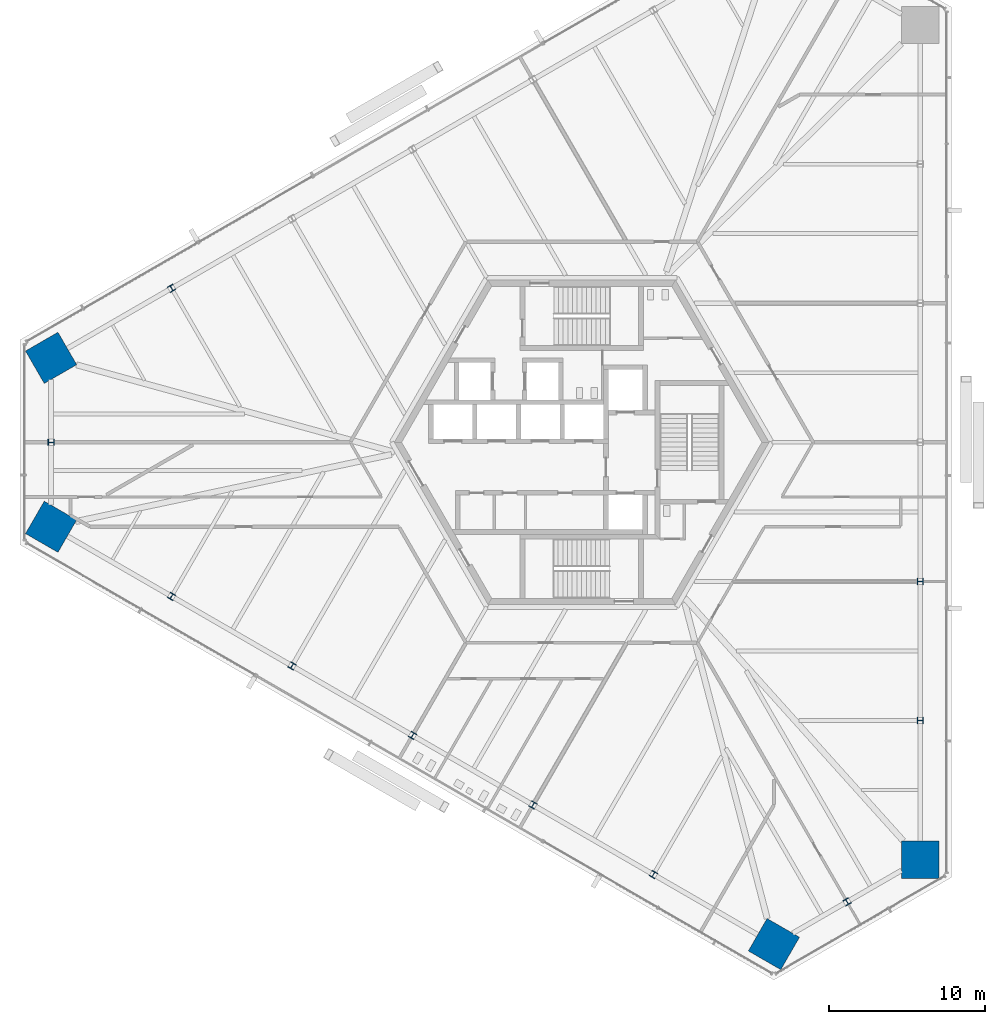
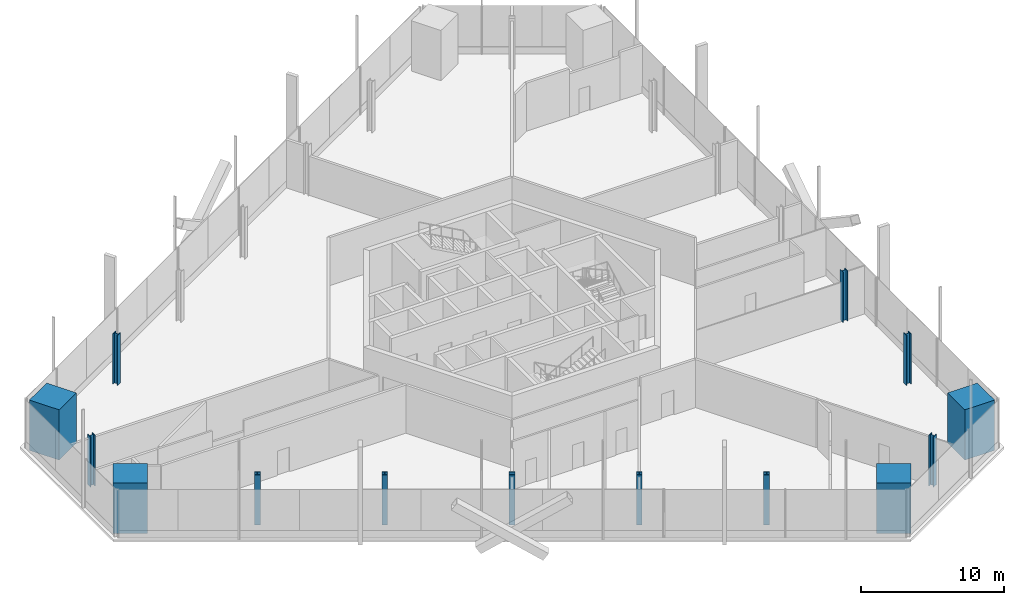
# One storey, part 1 of 18: 14 columns.
"""IFC4 building model written with IfcOpenShell, lengths in metres."""

from ifc_helpers import new_model, si_unit, direction, frame, origin, origin_2d, place, context, subcontext, project, spatial, rectangle, i_section, extrude, source, transform, mapped, material, material_profile, profile_set, type_object, element, save


model = new_model("IFC4")

# Units and contexts
model_context = context("Model", 3, precision=1e-05, world=origin(), true_north=direction((0.0, 1.0)))
body_context = subcontext(model_context, "Body", "Model", "MODEL_VIEW")
ifc_project = project(units=[si_unit("LENGTHUNIT", "METRE"), si_unit("AREAUNIT", "SQUARE_METRE"), si_unit("VOLUMEUNIT", "CUBIC_METRE"), si_unit("PLANEANGLEUNIT", "RADIAN"), si_unit("MASSUNIT", "GRAM", prefix="KILO")], contexts=[model_context])

# Site, building, storey
site_placement = place(None, origin())
site = spatial("IfcSite", under=ifc_project, at=site_placement, CompositionType="ELEMENT")
building_placement = place(site_placement, origin())
building = spatial("IfcBuilding", under=site, at=building_placement, Name="Triune Harvest Tower", CompositionType="ELEMENT")
storey_placement = place(building_placement, frame((0.0, 0.0, 33.199951171875)))
storey = spatial("IfcBuildingStorey", under=building, at=storey_placement, Name="L07", CompositionType="ELEMENT", Elevation=33.199951171875)

# Columns
ifc_material_1 = material(Name="Concrete 70 MPa", Category="concrete")
ifc_material_profile_1 = material_profile(ifc_material_1, rectangle(XDim=2.39990234375, YDim=2.39990234375, at=origin_2d()), Name="Composite 2400x2400")
ifc_profile_set_1 = profile_set([ifc_material_profile_1], Name="Concrete 70 MPa")
column_type_1 = type_object("IfcColumnType", Name="MC-1 Mega column Composite 2400x2400", PredefinedType="COLUMN", material=ifc_profile_set_1)
shared_shape_1 = source(origin(), body_context, "Body", "SweptSolid", [
    extrude(rectangle(XDim=2.39990234375, YDim=2.39990234375, at=origin_2d()), origin(), (0.0, 0.0, 1.0), 4.300048828125),
])
for number, where, z_axis, x_axis, name in (
    (1, (21.679443359375, -26.72998046875, 0.0), (0.0, 0.0, 1.0), (0.0, 1.0, 0.0), "col/L07/M0"),
    (2, (-33.988525390625, 5.409912109375, 0.0), (0.0, 0.0, 1.0), (-0.866025403784, -0.5, 0.0), "col/L07/M14"),
    (3, (-33.988525390625, -5.409912109375, 0.0), (0.0, 0.0, 1.0), (0.866025403784, -0.5, 0.0), "col/L07/M16"),
    (4, (12.30908203125, -32.139892578125, 0.0), (0.0, 0.0, 1.0), (0.866025403784, -0.5, 0.0), "col/L07/M22"),
):
    element("IfcColumn", number, at=place(storey_placement, frame(where, z_axis=z_axis, x_axis=x_axis)), inside=storey, type_object=column_type_1, Name=name, PredefinedType="COLUMN", context=body_context, shape_type="MappedRepresentation", body=[
        mapped(shared_shape_1, transform((0.0, 0.0, 0.0), scale=1.0)),
    ])
ifc_material_2 = material(Name="Steel ASTM A992 Gr 50", Category="steel")
ifc_material_profile_2 = material_profile(ifc_material_2, i_section(OverallWidth=0.40380859375, OverallDepth=0.406494140625, WebThickness=0.027099609375, FlangeThickness=0.043701171875, at=origin_2d()), Name="W14x233")
ifc_profile_set_2 = profile_set([ifc_material_profile_2], Name="Steel ASTM A992 Gr 50")
column_type_2 = type_object("IfcColumnType", Name="PC-1 Perimeter column W14x233", PredefinedType="COLUMN", material=ifc_profile_set_2)
shared_shape_2 = source(origin(), body_context, "Body", "SweptSolid", [
    extrude(i_section(OverallWidth=0.40380859375, OverallDepth=0.406494140625, WebThickness=0.027099609375, FlangeThickness=0.043701171875, at=origin_2d()), origin(), (0.0, 0.0, 1.0), 4.300048828125),
])
for number, where, z_axis, x_axis, name in (
    (5, (21.679443359375, -17.820068359375, 0.0), (0.0, 0.0, 1.0), (0.0, 1.0, 0.0), "col/L07/P1"),
    (6, (21.679443359375, -8.909912109375, 0.0), (0.0, 0.0, 1.0), (0.0, 1.0, 0.0), "col/L07/P2"),
    (7, (-26.272216796875, 9.864990234375, 0.0), (0.0, 0.0, 1.0), (-0.866025403784, -0.5, 0.0), "col/L07/P13"),
    (8, (-33.988525390625, 0.0, 0.0), (0.0, 0.0, 1.0), (0.0, -1.0, 0.0), "col/L07/P15"),
    (9, (-26.272216796875, -9.864990234375, 0.0), (0.0, 0.0, 1.0), (0.866025403784, -0.5, 0.0), "col/L07/P17"),
    (10, (-18.555908203125, -14.320068359375, 0.0), (0.0, 0.0, 1.0), (0.866025403784, -0.5, 0.0), "col/L07/P18"),
    (11, (-10.839599609375, -18.77490234375, 0.0), (0.0, 0.0, 1.0), (0.866025403784, -0.5, 0.0), "col/L07/P19"),
    (12, (-3.12353515625, -23.22998046875, 0.0), (0.0, 0.0, 1.0), (0.866025403784, -0.5, 0.0), "col/L07/P20"),
    (13, (4.5927734375, -27.68505859375, 0.0), (0.0, 0.0, 1.0), (0.866025403784, -0.5, 0.0), "col/L07/P21"),
    (14, (16.994384765625, -29.43505859375, 0.0), (0.0, 0.0, 1.0), (0.866026276448, 0.4999984885, 0.0), "col/L07/P23"),
):
    element("IfcColumn", number, at=place(storey_placement, frame(where, z_axis=z_axis, x_axis=x_axis)), inside=storey, type_object=column_type_2, Name=name, PredefinedType="COLUMN", context=body_context, shape_type="MappedRepresentation", body=[
        mapped(shared_shape_2, transform((0.0, 0.0, 0.0), scale=1.0)),
    ])

save(model, "model.ifc")
